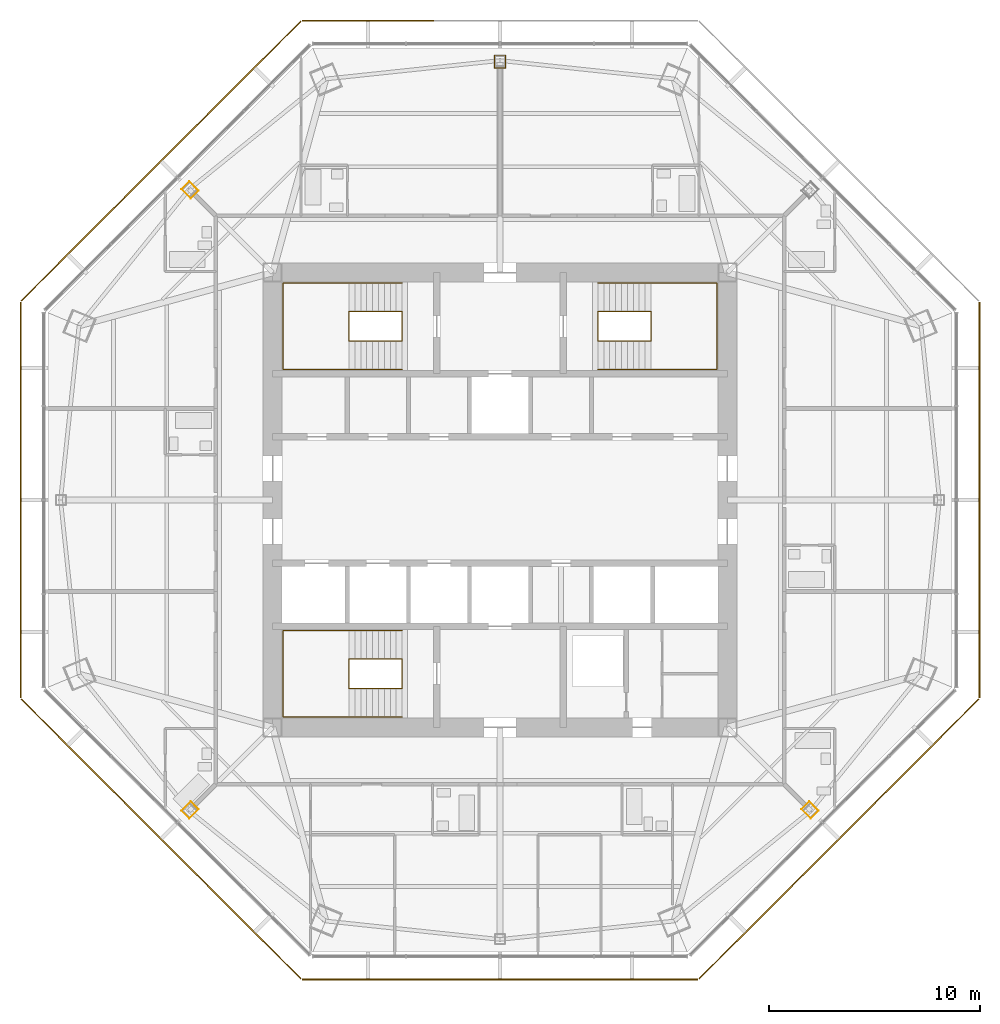
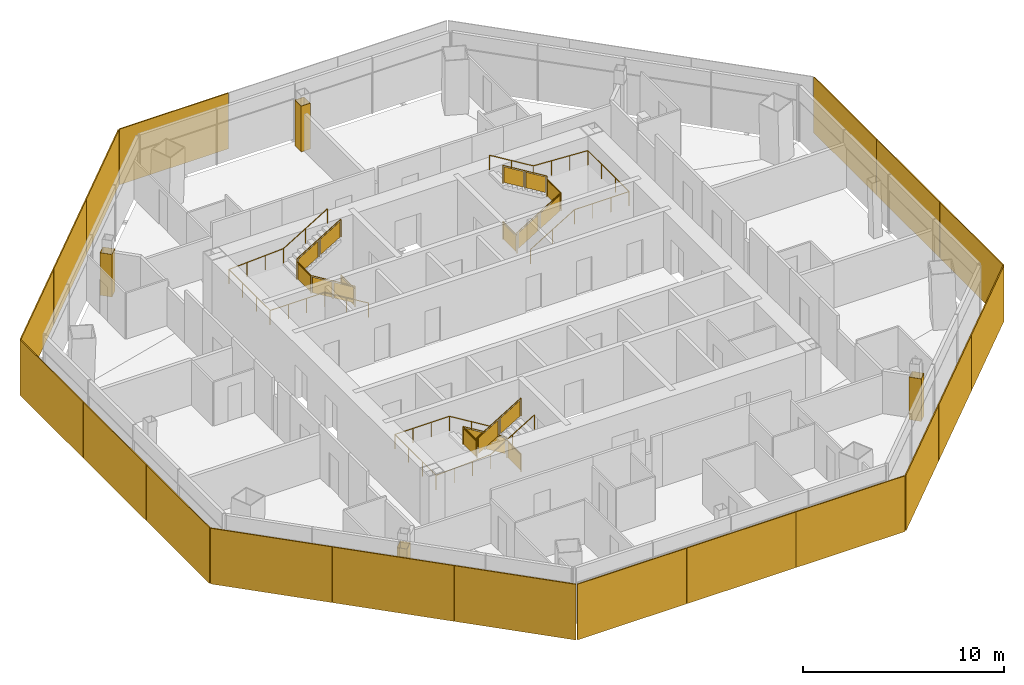
# One storey, part 13 of 15: 19 shading devices, 6 railings, 4 coverings.
"""IFC4 building model written with IfcOpenShell, lengths in metres."""

from ifc_helpers import new_model, si_unit, direction, frame, origin, origin_2d, place, context, subcontext, project, spatial, polyline, rectangle, circle, outline, extrude, source, transform, mapped, material, layer, layer_set, type_object, type_shapes, element, save


model = new_model("IFC4")

# Units and contexts
model_context = context("Model", 3, precision=1e-05, world=origin(), true_north=direction((0.0, 1.0)))
body_context = subcontext(model_context, "Body", "Model", "MODEL_VIEW")
ifc_project = project(units=[si_unit("LENGTHUNIT", "METRE"), si_unit("AREAUNIT", "SQUARE_METRE"), si_unit("VOLUMEUNIT", "CUBIC_METRE"), si_unit("PLANEANGLEUNIT", "RADIAN"), si_unit("MASSUNIT", "GRAM", prefix="KILO")], contexts=[model_context])

# Site, building, storey
site_placement = place(None, origin())
site = spatial("IfcSite", under=ifc_project, at=site_placement, CompositionType="ELEMENT")
building_placement = place(site_placement, origin())
building = spatial("IfcBuilding", under=site, at=building_placement, Name="Mashrafa Tower", CompositionType="ELEMENT")
storey_placement = place(building_placement, frame((0.0, 0.0, 224.39990234375)))
storey = spatial("IfcBuildingStorey", under=building, at=storey_placement, Name="L52", CompositionType="ELEMENT", Elevation=224.39990234375)

# Coverings
ifc_material_1 = material(Name="Gypsum board")
ifc_layer_1 = layer(ifc_material_1, 0.014892578125)
ifc_layer_set_1 = layer_set([ifc_layer_1], Name="Column casing plasterboard 15")
covering_type = type_object("IfcCoveringType", Name="Column casing plasterboard 15", PredefinedType="CLADDING", material=ifc_layer_set_1)
covering_1_placement = place(storey_placement, origin())
element("IfcCovering", 1, at=covering_1_placement, inside=storey, type_object=covering_type, Name="Column casing L52-002", PredefinedType="CLADDING", context=body_context, shape_type="SweptSolid", body=[
    extrude(outline(polyline([(-0.264892578125, 21.1318359375), (0.264892578125, 21.1318359375), (0.264892578125, 20.505615234375), (-0.264892578125, 20.505615234375), (-0.264892578125, 21.1318359375)]), holes=[polyline([(0.25, 20.5205078125), (0.25, 21.116943359375), (-0.25, 21.116943359375), (-0.25, 20.5205078125), (0.25, 20.5205078125)])]), origin(), (0.0, 0.0, 1.0), 2.78369140625),
])
covering_2_placement = place(storey_placement, origin())
element("IfcCovering", 2, at=covering_2_placement, inside=storey, type_object=covering_type, Name="Column casing L52-003", PredefinedType="CLADDING", context=body_context, shape_type="SweptSolid", body=[
    extrude(outline(polyline([(-15.1298828125, 14.755126953125), (-14.755126953125, 15.1298828125), (-14.312255859375, 14.68701171875), (-14.68701171875, 14.312255859375), (-15.1298828125, 14.755126953125)]), holes=[polyline([(-14.33349609375, 14.68701171875), (-14.755126953125, 15.108642578125), (-15.108642578125, 14.755126953125), (-14.68701171875, 14.33349609375), (-14.33349609375, 14.68701171875)])]), origin(), (0.0, 0.0, 1.0), 2.5830078125),
])
covering_3_placement = place(storey_placement, origin())
element("IfcCovering", 3, at=covering_3_placement, inside=storey, type_object=covering_type, Name="Column casing L52-004", PredefinedType="CLADDING", context=body_context, shape_type="SweptSolid", body=[
    extrude(outline(polyline([(-15.1298828125, -14.755126953125), (-14.68701171875, -14.312255859375), (-14.312255859375, -14.68701171875), (-14.755126953125, -15.1298828125), (-15.1298828125, -14.755126953125)]), holes=[polyline([(-14.33349609375, -14.68701171875), (-14.68701171875, -14.33349609375), (-15.108642578125, -14.755126953125), (-14.755126953125, -15.108642578125), (-14.33349609375, -14.68701171875)])]), origin(), (0.0, 0.0, 1.0), 2.5830078125),
])
covering_4_placement = place(storey_placement, origin())
element("IfcCovering", 4, at=covering_4_placement, inside=storey, type_object=covering_type, Name="Column casing L52-005", PredefinedType="CLADDING", context=body_context, shape_type="SweptSolid", body=[
    extrude(outline(polyline([(14.312255859375, -14.68701171875), (14.68701171875, -14.312255859375), (15.1298828125, -14.755126953125), (14.755126953125, -15.1298828125), (14.312255859375, -14.68701171875)]), holes=[polyline([(15.108642578125, -14.755126953125), (14.68701171875, -14.33349609375), (14.33349609375, -14.68701171875), (14.755126953125, -15.108642578125), (15.108642578125, -14.755126953125)])]), origin(), (0.0, 0.0, 1.0), 2.5830078125),
])

# Railings
ifc_material_2 = material(Name="Steel guard with glass infill", Category="steel")
railing_type_1 = type_object("IfcRailingType", Name="Stair guard 1100", PredefinedType="GUARDRAIL", material=ifc_material_2)
railing_1_placement = place(storey_placement, frame((-4.64990234375, 8.949951171875, 0.0)))
element("IfcRailing", 5, at=railing_1_placement, inside=storey, type_object=railing_type_1, Name="Stair S1 guard L52", PredefinedType="GUARDRAIL", context=body_context, shape_type="SweptSolid", body=[
    extrude(circle(Radius=0.02392578125, at=origin_2d()), frame((0.0, 0.0, 1.076171875), z_axis=(0.0, -1.0, 0.0), x_axis=(1.0, 0.0, 0.0)), (0.0, 0.0, 1.0), 1.39990234375),
    extrude(circle(Radius=0.02392578125, at=origin_2d()), frame((0.0, -1.39990234375, 1.076171875), z_axis=(0.0, 0.0, 1.0), x_axis=(1.0, 0.0, 0.0)), (0.0, 0.0, 1.0), 0.170166015625),
    extrude(circle(Radius=0.02392578125, at=origin_2d()), frame((0.0, -1.39990234375, 1.24609375), z_axis=(-0.85478489116, 0.0, 0.518982456201), x_axis=(0.0, -1.0, 0.0)), (0.0, 0.0, 1.0), 2.9482421875),
    extrude(circle(Radius=0.02392578125, at=origin_2d()), frame((-2.52001953125, -1.39990234375, 2.7763671875), z_axis=(0.0, 1.0, 0.0), x_axis=(-1.0, 0.0, 0.0)), (0.0, 0.0, 1.0), 1.39990234375),
    extrude(circle(Radius=0.02392578125, at=origin_2d()), frame((-2.52001953125, 0.0, 2.7763671875), z_axis=(0.0, 0.0, 1.0), x_axis=(1.0, 0.0, 0.0)), (0.0, 0.0, 1.0), 0.169921875),
    extrude(circle(Radius=0.02392578125, at=origin_2d()), frame((-2.52001953125, 0.0, 2.9462890625), z_axis=(0.85478489116, 0.0, 0.518982456201), x_axis=(0.0, 1.0, 0.0)), (0.0, 0.0, 1.0), 2.9482421875),
    extrude(circle(Radius=0.02099609375, at=origin_2d()), origin(), (0.0, 0.0, 1.0), 1.052001953125),
    extrude(circle(Radius=0.02099609375, at=origin_2d()), frame((0.0, -1.39990234375, 0.0)), (0.0, 0.0, 1.0), 1.052001953125),
    extrude(circle(Radius=0.02099609375, at=origin_2d()), frame((0.0, -1.39990234375, 0.170166015625)), (0.0, 0.0, 1.0), 1.052001953125),
    extrude(circle(Radius=0.02099609375, at=origin_2d()), frame((-1.260009765625, -1.39990234375, 0.93505859375)), (0.0, 0.0, 1.0), 1.052001953125),
    extrude(circle(Radius=0.02099609375, at=origin_2d()), frame((-2.52001953125, -1.39990234375, 1.7001953125)), (0.0, 0.0, 1.0), 1.052001953125),
    extrude(circle(Radius=0.02099609375, at=origin_2d()), frame((-2.52001953125, 0.0, 1.7001953125)), (0.0, 0.0, 1.0), 1.052001953125),
    extrude(circle(Radius=0.02099609375, at=origin_2d()), frame((-2.52001953125, 0.0, 1.8701171875)), (0.0, 0.0, 1.0), 1.052001953125),
    extrude(circle(Radius=0.02099609375, at=origin_2d()), frame((-1.260009765625, 0.0, 2.63525390625)), (0.0, 0.0, 1.0), 1.052001953125),
    extrude(circle(Radius=0.02099609375, at=origin_2d()), frame((0.0, 0.0, 3.400146484375)), (0.0, 0.0, 1.0), 1.052001953125),
    extrude(outline(polyline([(0.071044921875, 0.050048828125), (1.328857421875, 0.050048828125), (1.328857421875, 1.001953125), (0.071044921875, 1.001953125), (0.071044921875, 0.050048828125)])), frame((-0.006103515625, 0.0, 0.0), z_axis=(-1.0, 0.0, 0.0), x_axis=(0.0, -1.0, 0.0)), (0.0, 0.0, 1.0), 0.011962890625),
    extrude(outline(polyline([(0.071044921875, 0.093017578125), (1.18896484375, 0.77197265625), (1.18896484375, 1.723876953125), (0.071044921875, 1.045166015625), (0.071044921875, 0.093017578125)])), frame((0.0, -1.393798828125, 0.170166015625), z_axis=(0.0, 1.0, 0.0), x_axis=(-1.0, 0.0, 0.0)), (0.0, 0.0, 1.0), 0.011962890625),
    extrude(outline(polyline([(1.3310546875, 0.858154296875), (2.448974609375, 1.536865234375), (2.448974609375, 2.489013671875), (1.3310546875, 1.81005859375), (1.3310546875, 0.858154296875)])), frame((0.0, -1.393798828125, 0.170166015625), z_axis=(0.0, 1.0, 0.0), x_axis=(-1.0, 0.0, 0.0)), (0.0, 0.0, 1.0), 0.011962890625),
    extrude(outline(polyline([(0.071044921875, 0.050048828125), (1.328857421875, 0.050048828125), (1.328857421875, 1.001953125), (0.071044921875, 1.001953125), (0.071044921875, 0.050048828125)])), frame((-2.513916015625, -1.39990234375, 1.7001953125), z_axis=(1.0, 0.0, 0.0), x_axis=(0.0, 1.0, 0.0)), (0.0, 0.0, 1.0), 0.011962890625),
    extrude(outline(polyline([(0.071044921875, 0.093017578125), (1.18896484375, 0.77197265625), (1.18896484375, 1.723876953125), (0.071044921875, 1.045166015625), (0.071044921875, 0.093017578125)])), frame((-2.52001953125, -0.006103515625, 1.8701171875), z_axis=(0.0, -1.0, 0.0), x_axis=(1.0, 0.0, 0.0)), (0.0, 0.0, 1.0), 0.011962890625),
    extrude(outline(polyline([(1.3310546875, 0.858154296875), (2.448974609375, 1.536865234375), (2.448974609375, 2.489013671875), (1.3310546875, 1.81005859375), (1.3310546875, 0.858154296875)])), frame((-2.52001953125, -0.006103515625, 1.8701171875), z_axis=(0.0, -1.0, 0.0), x_axis=(1.0, 0.0, 0.0)), (0.0, 0.0, 1.0), 0.011962890625),
])
railing_2_placement = place(storey_placement, frame((4.64990234375, 8.949951171875, 0.0)))
element("IfcRailing", 6, at=railing_2_placement, inside=storey, type_object=railing_type_1, Name="Stair S2 guard L52", PredefinedType="GUARDRAIL", context=body_context, shape_type="SweptSolid", body=[
    extrude(circle(Radius=0.02392578125, at=origin_2d()), frame((0.0, 0.0, 1.076171875), z_axis=(0.0, -1.0, 0.0), x_axis=(1.0, 0.0, 0.0)), (0.0, 0.0, 1.0), 1.39990234375),
    extrude(circle(Radius=0.02392578125, at=origin_2d()), frame((0.0, -1.39990234375, 1.076171875), z_axis=(0.0, 0.0, 1.0), x_axis=(1.0, 0.0, 0.0)), (0.0, 0.0, 1.0), 0.170166015625),
    extrude(circle(Radius=0.02392578125, at=origin_2d()), frame((0.0, -1.39990234375, 1.24609375), z_axis=(0.85478489116, 0.0, 0.518982456201), x_axis=(0.0, 1.0, 0.0)), (0.0, 0.0, 1.0), 2.9482421875),
    extrude(circle(Radius=0.02392578125, at=origin_2d()), frame((2.52001953125, -1.39990234375, 2.7763671875), z_axis=(0.0, 1.0, 0.0), x_axis=(-1.0, 0.0, 0.0)), (0.0, 0.0, 1.0), 1.39990234375),
    extrude(circle(Radius=0.02392578125, at=origin_2d()), frame((2.52001953125, 0.0, 2.7763671875), z_axis=(0.0, 0.0, 1.0), x_axis=(1.0, 0.0, 0.0)), (0.0, 0.0, 1.0), 0.169921875),
    extrude(circle(Radius=0.02392578125, at=origin_2d()), frame((2.52001953125, 0.0, 2.9462890625), z_axis=(-0.85478489116, 0.0, 0.518982456201), x_axis=(0.0, -1.0, 0.0)), (0.0, 0.0, 1.0), 2.9482421875),
    extrude(circle(Radius=0.02099609375, at=origin_2d()), origin(), (0.0, 0.0, 1.0), 1.052001953125),
    extrude(circle(Radius=0.02099609375, at=origin_2d()), frame((0.0, -1.39990234375, 0.0)), (0.0, 0.0, 1.0), 1.052001953125),
    extrude(circle(Radius=0.02099609375, at=origin_2d()), frame((0.0, -1.39990234375, 0.170166015625)), (0.0, 0.0, 1.0), 1.052001953125),
    extrude(circle(Radius=0.02099609375, at=origin_2d()), frame((1.260009765625, -1.39990234375, 0.93505859375)), (0.0, 0.0, 1.0), 1.052001953125),
    extrude(circle(Radius=0.02099609375, at=origin_2d()), frame((2.52001953125, -1.39990234375, 1.7001953125)), (0.0, 0.0, 1.0), 1.052001953125),
    extrude(circle(Radius=0.02099609375, at=origin_2d()), frame((2.52001953125, 0.0, 1.7001953125)), (0.0, 0.0, 1.0), 1.052001953125),
    extrude(circle(Radius=0.02099609375, at=origin_2d()), frame((2.52001953125, 0.0, 1.8701171875)), (0.0, 0.0, 1.0), 1.052001953125),
    extrude(circle(Radius=0.02099609375, at=origin_2d()), frame((1.260009765625, 0.0, 2.63525390625)), (0.0, 0.0, 1.0), 1.052001953125),
    extrude(circle(Radius=0.02099609375, at=origin_2d()), frame((0.0, 0.0, 3.400146484375)), (0.0, 0.0, 1.0), 1.052001953125),
    extrude(outline(polyline([(0.071044921875, 0.050048828125), (1.328857421875, 0.050048828125), (1.328857421875, 1.001953125), (0.071044921875, 1.001953125), (0.071044921875, 0.050048828125)])), frame((-0.006103515625, 0.0, 0.0), z_axis=(-1.0, 0.0, 0.0), x_axis=(0.0, -1.0, 0.0)), (0.0, 0.0, 1.0), 0.011962890625),
    extrude(outline(polyline([(0.071044921875, 0.093017578125), (1.18896484375, 0.77197265625), (1.18896484375, 1.723876953125), (0.071044921875, 1.045166015625), (0.071044921875, 0.093017578125)])), frame((0.0, -1.406005859375, 0.170166015625), z_axis=(0.0, -1.0, 0.0), x_axis=(1.0, 0.0, 0.0)), (0.0, 0.0, 1.0), 0.011962890625),
    extrude(outline(polyline([(1.3310546875, 0.858154296875), (2.448974609375, 1.536865234375), (2.448974609375, 2.489013671875), (1.3310546875, 1.81005859375), (1.3310546875, 0.858154296875)])), frame((0.0, -1.406005859375, 0.170166015625), z_axis=(0.0, -1.0, 0.0), x_axis=(1.0, 0.0, 0.0)), (0.0, 0.0, 1.0), 0.011962890625),
    extrude(outline(polyline([(0.071044921875, 0.050048828125), (1.328857421875, 0.050048828125), (1.328857421875, 1.001953125), (0.071044921875, 1.001953125), (0.071044921875, 0.050048828125)])), frame((2.526123046875, -1.39990234375, 1.7001953125), z_axis=(1.0, 0.0, 0.0), x_axis=(0.0, 1.0, 0.0)), (0.0, 0.0, 1.0), 0.011962890625),
    extrude(outline(polyline([(0.071044921875, 0.093017578125), (1.18896484375, 0.77197265625), (1.18896484375, 1.723876953125), (0.071044921875, 1.045166015625), (0.071044921875, 0.093017578125)])), frame((2.52001953125, 0.006103515625, 1.8701171875), z_axis=(0.0, 1.0, 0.0), x_axis=(-1.0, 0.0, 0.0)), (0.0, 0.0, 1.0), 0.011962890625),
    extrude(outline(polyline([(1.3310546875, 0.858154296875), (2.448974609375, 1.536865234375), (2.448974609375, 2.489013671875), (1.3310546875, 1.81005859375), (1.3310546875, 0.858154296875)])), frame((2.52001953125, 0.006103515625, 1.8701171875), z_axis=(0.0, 1.0, 0.0), x_axis=(-1.0, 0.0, 0.0)), (0.0, 0.0, 1.0), 0.011962890625),
])
railing_3_placement = place(storey_placement, frame((-4.64990234375, -8.949951171875, 0.0)))
element("IfcRailing", 7, at=railing_3_placement, inside=storey, type_object=railing_type_1, Name="Stair S3 guard L52", PredefinedType="GUARDRAIL", context=body_context, shape_type="SweptSolid", body=[
    extrude(circle(Radius=0.02392578125, at=origin_2d()), frame((0.0, 0.0, 1.076171875), z_axis=(0.0, 1.0, 0.0), x_axis=(-1.0, 0.0, 0.0)), (0.0, 0.0, 1.0), 1.39990234375),
    extrude(circle(Radius=0.02392578125, at=origin_2d()), frame((0.0, 1.39990234375, 1.076171875), z_axis=(0.0, 0.0, 1.0), x_axis=(1.0, 0.0, 0.0)), (0.0, 0.0, 1.0), 0.170166015625),
    extrude(circle(Radius=0.02392578125, at=origin_2d()), frame((0.0, 1.39990234375, 1.24609375), z_axis=(-0.85478489116, 0.0, 0.518982456201), x_axis=(0.0, -1.0, 0.0)), (0.0, 0.0, 1.0), 2.9482421875),
    extrude(circle(Radius=0.02392578125, at=origin_2d()), frame((-2.52001953125, 1.39990234375, 2.7763671875), z_axis=(0.0, -1.0, 0.0), x_axis=(1.0, 0.0, 0.0)), (0.0, 0.0, 1.0), 1.39990234375),
    extrude(circle(Radius=0.02392578125, at=origin_2d()), frame((-2.52001953125, 0.0, 2.7763671875), z_axis=(0.0, 0.0, 1.0), x_axis=(1.0, 0.0, 0.0)), (0.0, 0.0, 1.0), 0.169921875),
    extrude(circle(Radius=0.02392578125, at=origin_2d()), frame((-2.52001953125, 0.0, 2.9462890625), z_axis=(0.85478489116, 0.0, 0.518982456201), x_axis=(0.0, 1.0, 0.0)), (0.0, 0.0, 1.0), 2.9482421875),
    extrude(circle(Radius=0.02099609375, at=origin_2d()), origin(), (0.0, 0.0, 1.0), 1.052001953125),
    extrude(circle(Radius=0.02099609375, at=origin_2d()), frame((0.0, 1.39990234375, 0.0)), (0.0, 0.0, 1.0), 1.052001953125),
    extrude(circle(Radius=0.02099609375, at=origin_2d()), frame((0.0, 1.39990234375, 0.170166015625)), (0.0, 0.0, 1.0), 1.052001953125),
    extrude(circle(Radius=0.02099609375, at=origin_2d()), frame((-1.260009765625, 1.39990234375, 0.93505859375)), (0.0, 0.0, 1.0), 1.052001953125),
    extrude(circle(Radius=0.02099609375, at=origin_2d()), frame((-2.52001953125, 1.39990234375, 1.7001953125)), (0.0, 0.0, 1.0), 1.052001953125),
    extrude(circle(Radius=0.02099609375, at=origin_2d()), frame((-2.52001953125, 0.0, 1.7001953125)), (0.0, 0.0, 1.0), 1.052001953125),
    extrude(circle(Radius=0.02099609375, at=origin_2d()), frame((-2.52001953125, 0.0, 1.8701171875)), (0.0, 0.0, 1.0), 1.052001953125),
    extrude(circle(Radius=0.02099609375, at=origin_2d()), frame((-1.260009765625, 0.0, 2.63525390625)), (0.0, 0.0, 1.0), 1.052001953125),
    extrude(circle(Radius=0.02099609375, at=origin_2d()), frame((0.0, 0.0, 3.400146484375)), (0.0, 0.0, 1.0), 1.052001953125),
    extrude(outline(polyline([(0.071044921875, 0.050048828125), (1.328857421875, 0.050048828125), (1.328857421875, 1.001953125), (0.071044921875, 1.001953125), (0.071044921875, 0.050048828125)])), frame((0.006103515625, 0.0, 0.0), z_axis=(1.0, 0.0, 0.0), x_axis=(0.0, 1.0, 0.0)), (0.0, 0.0, 1.0), 0.011962890625),
    extrude(outline(polyline([(0.071044921875, 0.093017578125), (1.18896484375, 0.77197265625), (1.18896484375, 1.723876953125), (0.071044921875, 1.045166015625), (0.071044921875, 0.093017578125)])), frame((0.0, 1.406005859375, 0.170166015625), z_axis=(0.0, 1.0, 0.0), x_axis=(-1.0, 0.0, 0.0)), (0.0, 0.0, 1.0), 0.011962890625),
    extrude(outline(polyline([(1.3310546875, 0.858154296875), (2.448974609375, 1.536865234375), (2.448974609375, 2.489013671875), (1.3310546875, 1.81005859375), (1.3310546875, 0.858154296875)])), frame((0.0, 1.406005859375, 0.170166015625), z_axis=(0.0, 1.0, 0.0), x_axis=(-1.0, 0.0, 0.0)), (0.0, 0.0, 1.0), 0.011962890625),
    extrude(outline(polyline([(0.071044921875, 0.050048828125), (1.328857421875, 0.050048828125), (1.328857421875, 1.001953125), (0.071044921875, 1.001953125), (0.071044921875, 0.050048828125)])), frame((-2.526123046875, 1.39990234375, 1.7001953125), z_axis=(-1.0, 0.0, 0.0), x_axis=(0.0, -1.0, 0.0)), (0.0, 0.0, 1.0), 0.011962890625),
    extrude(outline(polyline([(0.071044921875, 0.093017578125), (1.18896484375, 0.77197265625), (1.18896484375, 1.723876953125), (0.071044921875, 1.045166015625), (0.071044921875, 0.093017578125)])), frame((-2.52001953125, -0.006103515625, 1.8701171875), z_axis=(0.0, -1.0, 0.0), x_axis=(1.0, 0.0, 0.0)), (0.0, 0.0, 1.0), 0.011962890625),
    extrude(outline(polyline([(1.3310546875, 0.858154296875), (2.448974609375, 1.536865234375), (2.448974609375, 2.489013671875), (1.3310546875, 1.81005859375), (1.3310546875, 0.858154296875)])), frame((-2.52001953125, -0.006103515625, 1.8701171875), z_axis=(0.0, -1.0, 0.0), x_axis=(1.0, 0.0, 0.0)), (0.0, 0.0, 1.0), 0.011962890625),
])
ifc_material_3 = material(Name="Steel", Category="steel")
railing_type_2 = type_object("IfcRailingType", Name="Stair handrail 900", PredefinedType="HANDRAIL", material=ifc_material_3)
railing_4_placement = place(storey_placement, frame((-4.64990234375, 6.199951171875, 0.170166015625)))
element("IfcRailing", 8, at=railing_4_placement, inside=storey, type_object=railing_type_2, Name="Stair S1 handrail L52", PredefinedType="HANDRAIL", context=body_context, shape_type="SweptSolid", body=[
    extrude(circle(Radius=0.02392578125, at=origin_2d()), frame((0.0, 0.0, 0.8759765625), z_axis=(-0.85478489116, 0.0, 0.518982456201), x_axis=(0.0, -1.0, 0.0)), (0.0, 0.0, 1.0), 2.9482421875),
    extrude(circle(Radius=0.02392578125, at=origin_2d()), frame((-2.52001953125, 0.0, 2.40576171875), z_axis=(-1.0, 0.0, 0.0), x_axis=(0.0, -1.0, 0.0)), (0.0, 0.0, 1.0), 3.130126953125),
    extrude(circle(Radius=0.02392578125, at=origin_2d()), frame((-5.650146484375, 0.0, 2.40576171875), z_axis=(0.0, 1.0, 0.0), x_axis=(-1.0, 0.0, 0.0)), (0.0, 0.0, 1.0), 4.10009765625),
    extrude(circle(Radius=0.02392578125, at=origin_2d()), frame((-5.650146484375, 4.10009765625, 2.40576171875), z_axis=(0.998529767259, 0.0, 0.054206124172), x_axis=(0.0, 1.0, 0.0)), (0.0, 0.0, 1.0), 3.134765625),
    extrude(circle(Radius=0.02392578125, at=origin_2d()), frame((-2.52001953125, 4.10009765625, 2.57568359375), z_axis=(0.85478489116, 0.0, 0.518982456201), x_axis=(0.0, 1.0, 0.0)), (0.0, 0.0, 1.0), 2.9482421875),
    extrude(circle(Radius=0.02099609375, at=origin_2d()), origin(), (0.0, 0.0, 1.0), 0.851806640625),
    extrude(circle(Radius=0.02099609375, at=origin_2d()), frame((-1.260009765625, 0.0, 0.76513671875)), (0.0, 0.0, 1.0), 0.851806640625),
    extrude(circle(Radius=0.02099609375, at=origin_2d()), frame((-2.52001953125, 0.0, 1.530029296875)), (0.0, 0.0, 1.0), 0.851806640625),
    extrude(circle(Radius=0.02099609375, at=origin_2d()), frame((-3.5634765625, 0.0, 1.530029296875)), (0.0, 0.0, 1.0), 0.851806640625),
    extrude(circle(Radius=0.02099609375, at=origin_2d()), frame((-4.606689453125, 0.0, 1.530029296875)), (0.0, 0.0, 1.0), 0.851806640625),
    extrude(circle(Radius=0.02099609375, at=origin_2d()), frame((-5.650146484375, 0.0, 1.530029296875)), (0.0, 0.0, 1.0), 0.851806640625),
    extrude(circle(Radius=0.02099609375, at=origin_2d()), frame((-5.650146484375, 1.36669921875, 1.530029296875)), (0.0, 0.0, 1.0), 0.851806640625),
    extrude(circle(Radius=0.02099609375, at=origin_2d()), frame((-5.650146484375, 2.7333984375, 1.530029296875)), (0.0, 0.0, 1.0), 0.851806640625),
    extrude(circle(Radius=0.02099609375, at=origin_2d()), frame((-5.650146484375, 4.10009765625, 1.530029296875)), (0.0, 0.0, 1.0), 0.851806640625),
    extrude(circle(Radius=0.02099609375, at=origin_2d()), frame((-4.606689453125, 4.10009765625, 1.586669921875)), (0.0, 0.0, 1.0), 0.851806640625),
    extrude(circle(Radius=0.02099609375, at=origin_2d()), frame((-3.5634765625, 4.10009765625, 1.643310546875)), (0.0, 0.0, 1.0), 0.851806640625),
    extrude(circle(Radius=0.02099609375, at=origin_2d()), frame((-2.52001953125, 4.10009765625, 1.699951171875)), (0.0, 0.0, 1.0), 0.851806640625),
    extrude(circle(Radius=0.02099609375, at=origin_2d()), frame((-1.260009765625, 4.10009765625, 2.46484375)), (0.0, 0.0, 1.0), 0.851806640625),
    extrude(circle(Radius=0.02099609375, at=origin_2d()), frame((0.0, 4.10009765625, 3.22998046875)), (0.0, 0.0, 1.0), 0.851806640625),
])
railing_5_placement = place(storey_placement, frame((4.64990234375, 6.199951171875, 0.170166015625)))
element("IfcRailing", 9, at=railing_5_placement, inside=storey, type_object=railing_type_2, Name="Stair S2 handrail L52", PredefinedType="HANDRAIL", context=body_context, shape_type="SweptSolid", body=[
    extrude(circle(Radius=0.02392578125, at=origin_2d()), frame((0.0, 0.0, 0.8759765625), z_axis=(0.85478489116, 0.0, 0.518982456201), x_axis=(0.0, 1.0, 0.0)), (0.0, 0.0, 1.0), 2.9482421875),
    extrude(circle(Radius=0.02392578125, at=origin_2d()), frame((2.52001953125, 0.0, 2.40576171875), z_axis=(1.0, 0.0, 0.0), x_axis=(0.0, 1.0, 0.0)), (0.0, 0.0, 1.0), 3.130126953125),
    extrude(circle(Radius=0.02392578125, at=origin_2d()), frame((5.650146484375, 0.0, 2.40576171875), z_axis=(0.0, 1.0, 0.0), x_axis=(-1.0, 0.0, 0.0)), (0.0, 0.0, 1.0), 4.10009765625),
    extrude(circle(Radius=0.02392578125, at=origin_2d()), frame((5.650146484375, 4.10009765625, 2.40576171875), z_axis=(-0.998529767259, 0.0, 0.054206124172), x_axis=(0.0, -1.0, 0.0)), (0.0, 0.0, 1.0), 3.134765625),
    extrude(circle(Radius=0.02392578125, at=origin_2d()), frame((2.52001953125, 4.10009765625, 2.57568359375), z_axis=(-0.85478489116, 0.0, 0.518982456201), x_axis=(0.0, -1.0, 0.0)), (0.0, 0.0, 1.0), 2.9482421875),
    extrude(circle(Radius=0.02099609375, at=origin_2d()), origin(), (0.0, 0.0, 1.0), 0.851806640625),
    extrude(circle(Radius=0.02099609375, at=origin_2d()), frame((1.260009765625, 0.0, 0.76513671875)), (0.0, 0.0, 1.0), 0.851806640625),
    extrude(circle(Radius=0.02099609375, at=origin_2d()), frame((2.52001953125, 0.0, 1.530029296875)), (0.0, 0.0, 1.0), 0.851806640625),
    extrude(circle(Radius=0.02099609375, at=origin_2d()), frame((3.5634765625, 0.0, 1.530029296875)), (0.0, 0.0, 1.0), 0.851806640625),
    extrude(circle(Radius=0.02099609375, at=origin_2d()), frame((4.606689453125, 0.0, 1.530029296875)), (0.0, 0.0, 1.0), 0.851806640625),
    extrude(circle(Radius=0.02099609375, at=origin_2d()), frame((5.650146484375, 0.0, 1.530029296875)), (0.0, 0.0, 1.0), 0.851806640625),
    extrude(circle(Radius=0.02099609375, at=origin_2d()), frame((5.650146484375, 1.36669921875, 1.530029296875)), (0.0, 0.0, 1.0), 0.851806640625),
    extrude(circle(Radius=0.02099609375, at=origin_2d()), frame((5.650146484375, 2.7333984375, 1.530029296875)), (0.0, 0.0, 1.0), 0.851806640625),
    extrude(circle(Radius=0.02099609375, at=origin_2d()), frame((5.650146484375, 4.10009765625, 1.530029296875)), (0.0, 0.0, 1.0), 0.851806640625),
    extrude(circle(Radius=0.02099609375, at=origin_2d()), frame((4.606689453125, 4.10009765625, 1.586669921875)), (0.0, 0.0, 1.0), 0.851806640625),
    extrude(circle(Radius=0.02099609375, at=origin_2d()), frame((3.5634765625, 4.10009765625, 1.643310546875)), (0.0, 0.0, 1.0), 0.851806640625),
    extrude(circle(Radius=0.02099609375, at=origin_2d()), frame((2.52001953125, 4.10009765625, 1.699951171875)), (0.0, 0.0, 1.0), 0.851806640625),
    extrude(circle(Radius=0.02099609375, at=origin_2d()), frame((1.260009765625, 4.10009765625, 2.46484375)), (0.0, 0.0, 1.0), 0.851806640625),
    extrude(circle(Radius=0.02099609375, at=origin_2d()), frame((0.0, 4.10009765625, 3.22998046875)), (0.0, 0.0, 1.0), 0.851806640625),
])
railing_6_placement = place(storey_placement, frame((-4.64990234375, -6.199951171875, 0.170166015625)))
element("IfcRailing", 10, at=railing_6_placement, inside=storey, type_object=railing_type_2, Name="Stair S3 handrail L52", PredefinedType="HANDRAIL", context=body_context, shape_type="SweptSolid", body=[
    extrude(circle(Radius=0.02392578125, at=origin_2d()), frame((0.0, 0.0, 0.8759765625), z_axis=(-0.85478489116, 0.0, 0.518982456201), x_axis=(0.0, -1.0, 0.0)), (0.0, 0.0, 1.0), 2.9482421875),
    extrude(circle(Radius=0.02392578125, at=origin_2d()), frame((-2.52001953125, 0.0, 2.40576171875), z_axis=(-1.0, 0.0, 0.0), x_axis=(0.0, -1.0, 0.0)), (0.0, 0.0, 1.0), 3.130126953125),
    extrude(circle(Radius=0.02392578125, at=origin_2d()), frame((-5.650146484375, 0.0, 2.40576171875), z_axis=(0.0, -1.0, 0.0), x_axis=(1.0, 0.0, 0.0)), (0.0, 0.0, 1.0), 4.10009765625),
    extrude(circle(Radius=0.02392578125, at=origin_2d()), frame((-5.650146484375, -4.10009765625, 2.40576171875), z_axis=(0.998529767259, 0.0, 0.054206124172), x_axis=(0.0, 1.0, 0.0)), (0.0, 0.0, 1.0), 3.134765625),
    extrude(circle(Radius=0.02392578125, at=origin_2d()), frame((-2.52001953125, -4.10009765625, 2.57568359375), z_axis=(0.85478489116, 0.0, 0.518982456201), x_axis=(0.0, 1.0, 0.0)), (0.0, 0.0, 1.0), 2.9482421875),
    extrude(circle(Radius=0.02099609375, at=origin_2d()), origin(), (0.0, 0.0, 1.0), 0.851806640625),
    extrude(circle(Radius=0.02099609375, at=origin_2d()), frame((-1.260009765625, 0.0, 0.76513671875)), (0.0, 0.0, 1.0), 0.851806640625),
    extrude(circle(Radius=0.02099609375, at=origin_2d()), frame((-2.52001953125, 0.0, 1.530029296875)), (0.0, 0.0, 1.0), 0.851806640625),
    extrude(circle(Radius=0.02099609375, at=origin_2d()), frame((-3.5634765625, 0.0, 1.530029296875)), (0.0, 0.0, 1.0), 0.851806640625),
    extrude(circle(Radius=0.02099609375, at=origin_2d()), frame((-4.606689453125, 0.0, 1.530029296875)), (0.0, 0.0, 1.0), 0.851806640625),
    extrude(circle(Radius=0.02099609375, at=origin_2d()), frame((-5.650146484375, 0.0, 1.530029296875)), (0.0, 0.0, 1.0), 0.851806640625),
    extrude(circle(Radius=0.02099609375, at=origin_2d()), frame((-5.650146484375, -1.36669921875, 1.530029296875)), (0.0, 0.0, 1.0), 0.851806640625),
    extrude(circle(Radius=0.02099609375, at=origin_2d()), frame((-5.650146484375, -2.7333984375, 1.530029296875)), (0.0, 0.0, 1.0), 0.851806640625),
    extrude(circle(Radius=0.02099609375, at=origin_2d()), frame((-5.650146484375, -4.10009765625, 1.530029296875)), (0.0, 0.0, 1.0), 0.851806640625),
    extrude(circle(Radius=0.02099609375, at=origin_2d()), frame((-4.606689453125, -4.10009765625, 1.586669921875)), (0.0, 0.0, 1.0), 0.851806640625),
    extrude(circle(Radius=0.02099609375, at=origin_2d()), frame((-3.5634765625, -4.10009765625, 1.643310546875)), (0.0, 0.0, 1.0), 0.851806640625),
    extrude(circle(Radius=0.02099609375, at=origin_2d()), frame((-2.52001953125, -4.10009765625, 1.699951171875)), (0.0, 0.0, 1.0), 0.851806640625),
    extrude(circle(Radius=0.02099609375, at=origin_2d()), frame((-1.260009765625, -4.10009765625, 2.46484375)), (0.0, 0.0, 1.0), 0.851806640625),
    extrude(circle(Radius=0.02099609375, at=origin_2d()), frame((0.0, -4.10009765625, 3.22998046875)), (0.0, 0.0, 1.0), 0.851806640625),
])

# Shading devices
ifc_material_4 = material(Name="Perforated aluminium plate, eight-point star pattern", Category="aluminium")
ifc_layer_2 = layer(ifc_material_4, 0.06005859375)
ifc_layer_set_2 = layer_set([ifc_layer_2], Name="Mashrabiya screen panel apartment zone 3, 28 percent open")
shading_device_type = type_object("IfcShadingDeviceType", Name="Mashrabiya screen panel apartment zone 3, 28 percent open", PredefinedType="SHUTTER", material=ifc_layer_set_2)
shared_shape = source(origin(), body_context, "Body", "SweptSolid", [
    extrude(rectangle(XDim=6.251953125, YDim=0.06005859375, at=origin_2d()), origin(), (0.0, 0.0, 1.0), 3.3798828125),
])
type_shapes(shading_device_type, [shared_shape])
for number, where, z_axis, x_axis, name in (
    (11, (22.766845703125, -6.27197265625, -0.14990234375), (0.0, 0.0, 1.0), (0.0, 1.0, 0.0), "Mashrabiya screen L52 east 1"),
    (12, (22.766845703125, 0.0, -0.14990234375), (0.0, 0.0, 1.0), (0.0, 1.0, 0.0), "Mashrabiya screen L52 east 2"),
    (13, (22.766845703125, 6.27197265625, -0.14990234375), (0.0, 0.0, 1.0), (0.0, 1.0, 0.0), "Mashrabiya screen L52 east 3"),
    (14, (-6.27197265625, 22.766845703125, -0.14990234375), (0.0, 0.0, 1.0), (-1.0, 0.0, 0.0), "Mashrabiya screen L52 north 3"),
    (15, (-11.66357421875, 20.533447265625, -0.14990234375), (0.0, 0.0, 1.0), (-0.707106781187, -0.707106781187, 0.0), "Mashrabiya screen L52 north-west 1"),
    (16, (-16.0986328125, 16.0986328125, -0.14990234375), (0.0, 0.0, 1.0), (-0.707106781187, -0.707106781187, 0.0), "Mashrabiya screen L52 north-west 2"),
    (17, (-20.533447265625, 11.66357421875, -0.14990234375), (0.0, 0.0, 1.0), (-0.707106781187, -0.707106781187, 0.0), "Mashrabiya screen L52 north-west 3"),
    (18, (-22.766845703125, 6.27197265625, -0.14990234375), (0.0, 0.0, 1.0), (0.0, -1.0, 0.0), "Mashrabiya screen L52 west 1"),
    (19, (-22.766845703125, 0.0, -0.14990234375), (0.0, 0.0, 1.0), (0.0, -1.0, 0.0), "Mashrabiya screen L52 west 2"),
    (20, (-22.766845703125, -6.27197265625, -0.14990234375), (0.0, 0.0, 1.0), (0.0, -1.0, 0.0), "Mashrabiya screen L52 west 3"),
    (21, (-20.533447265625, -11.66357421875, -0.14990234375), (0.0, 0.0, 1.0), (0.707106781187, -0.707106781187, 0.0), "Mashrabiya screen L52 south-west 1"),
    (22, (-16.0986328125, -16.0986328125, -0.14990234375), (0.0, 0.0, 1.0), (0.707106781187, -0.707106781187, 0.0), "Mashrabiya screen L52 south-west 2"),
    (23, (-11.66357421875, -20.533447265625, -0.14990234375), (0.0, 0.0, 1.0), (0.707106781187, -0.707106781187, 0.0), "Mashrabiya screen L52 south-west 3"),
    (24, (-6.27197265625, -22.766845703125, -0.14990234375), (0.0, 0.0, 1.0), (1.0, 0.0, 0.0), "Mashrabiya screen L52 south 1"),
    (25, (0.0, -22.766845703125, -0.14990234375), (0.0, 0.0, 1.0), (1.0, 0.0, 0.0), "Mashrabiya screen L52 south 2"),
    (26, (6.27197265625, -22.766845703125, -0.14990234375), (0.0, 0.0, 1.0), (1.0, 0.0, 0.0), "Mashrabiya screen L52 south 3"),
    (27, (11.66357421875, -20.533447265625, -0.14990234375), (0.0, 0.0, 1.0), (0.707106781187, 0.707106781187, 0.0), "Mashrabiya screen L52 south-east 1"),
    (28, (16.0986328125, -16.0986328125, -0.14990234375), (0.0, 0.0, 1.0), (0.707106781187, 0.707106781187, 0.0), "Mashrabiya screen L52 south-east 2"),
    (29, (20.533447265625, -11.66357421875, -0.14990234375), (0.0, 0.0, 1.0), (0.707106781187, 0.707106781187, 0.0), "Mashrabiya screen L52 south-east 3"),
):
    element("IfcShadingDevice", number, at=place(storey_placement, frame(where, z_axis=z_axis, x_axis=x_axis)), inside=storey, type_object=shading_device_type, Name=name, PredefinedType="SHUTTER", context=body_context, shape_type="MappedRepresentation", body=[
        mapped(shared_shape, transform((0.0, 0.0, 0.0))),
    ])

save(model, "model.ifc")
